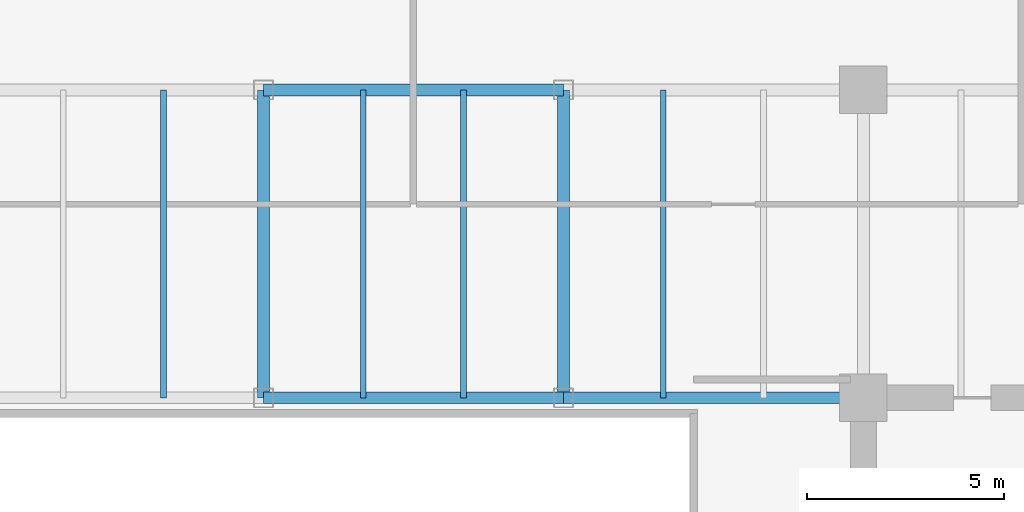
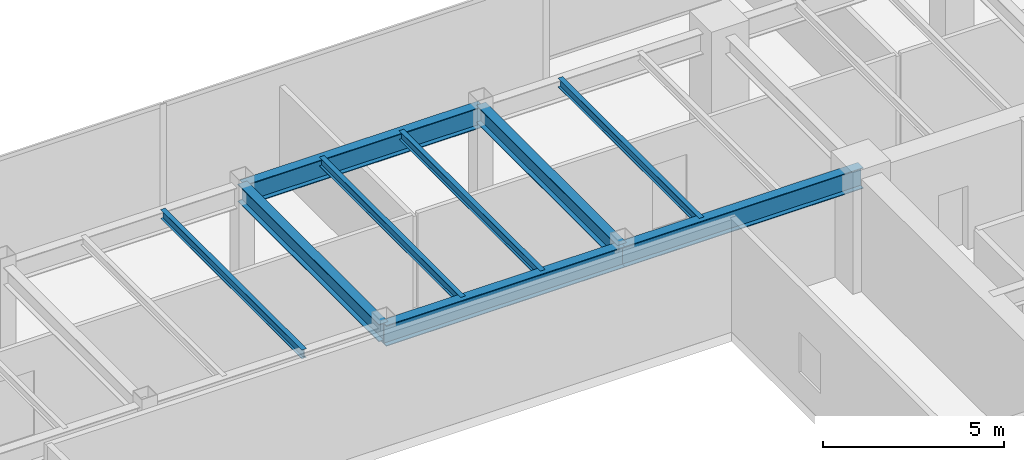
# One storey, part 17 of 30: 9 beams.
"""IFC4 building model written with IfcOpenShell, lengths in metres."""

import ifcopenshell
import ifcopenshell.guid

model = None  # the IFC model being written
_history = None  # IfcOwnerHistory: only IFC2X3 demands one
_inside = {}  # id of a spatial element -> (the spatial element, [elements in it])
_under = {}  # id of a project, library or spatial element -> (it, [spatial elements below it])
_declared = {}  # id of a project -> (the project, [libraries it declares])
_typed = {}  # id of a type object -> (the type object, [elements of that type])
_made_of = {}  # id of a material, layer set ... -> (it, [elements and type objects made of it])


def new_model(schema):
    """Start an empty IFC model of exactly this schema.

    Asked for "IFC4X3", IfcOpenShell would pick the latest addendum, in which some entities
    have other attributes; the version numbers below select the first issue.
    IFC2X3 requires an IfcOwnerHistory on every rooted entity: one is made here for all.
    """
    global model, _history
    if schema == "IFC4X3":
        model = ifcopenshell.file(schema_version=(4, 3, 0, 0))
    else:
        model = ifcopenshell.file(schema=schema)
    _inside.clear()
    _under.clear()
    _declared.clear()
    _typed.clear()
    _made_of.clear()
    _history = None
    if model.schema == "IFC2X3":
        org = make("IfcOrganization", Name="unknown")
        user = make(
            "IfcPersonAndOrganization",
            ThePerson=make("IfcPerson", FamilyName="unknown"),
            TheOrganization=org,
        )
        app = make(
            "IfcApplication",
            ApplicationDeveloper=org,
            Version="unknown",
            ApplicationFullName="unknown",
            ApplicationIdentifier="unknown",
        )
        _history = make(
            "IfcOwnerHistory",
            OwningUser=user,
            OwningApplication=app,
            ChangeAction="ADDED",
            CreationDate=0,
        )
    return model


def make(cls, **values):
    """One entity of the class cls with the attributes given. An attribute that is None is left unset."""
    return model.create_entity(
        cls, **{name: value for name, value in values.items() if value is not None}
    )


def rooted(cls, **values):
    """An entity with a GlobalId (a new one), such as an element, a storey or a relation."""
    return make(cls, GlobalId=ifcopenshell.guid.new(), OwnerHistory=_history, **values)


def si_unit(unit_type, name, prefix=None):
    """IfcSIUnit, for example si_unit("LENGTHUNIT", "METRE", prefix="MILLI")."""
    return make("IfcSIUnit", UnitType=unit_type, Prefix=prefix, Name=name)


def assignment(units):
    """IfcUnitAssignment: the units of a project."""
    return None if units is None else make("IfcUnitAssignment", Units=units)


def point(xyz):
    """IfcCartesianPoint."""
    return None if xyz is None else make("IfcCartesianPoint", Coordinates=xyz)


def direction(xyz):
    """IfcDirection."""
    return None if xyz is None else make("IfcDirection", DirectionRatios=xyz)


def frame(location, z_axis=None, x_axis=None):
    """IfcAxis2Placement3D, a coordinate frame: its origin and axes. An axis left out is left unset."""
    return make(
        "IfcAxis2Placement3D",
        Location=point(location),
        Axis=direction(z_axis),
        RefDirection=direction(x_axis),
    )


def frame_2d(location, x_axis=None):
    """IfcAxis2Placement2D, a coordinate frame in the plane: its origin and x axis."""
    return make(
        "IfcAxis2Placement2D", Location=point(location), RefDirection=direction(x_axis)
    )


def origin():
    """The frame at (0, 0, 0) with its axes left unset."""
    return frame((0.0, 0.0, 0.0))


def origin_2d():
    """The frame at (0, 0) in the plane with its x axis left unset."""
    return frame_2d((0.0, 0.0))


def place(relative_to, where):
    """IfcLocalPlacement: puts the frame where relative to a parent placement (None: the world)."""
    return make(
        "IfcLocalPlacement", PlacementRelTo=relative_to, RelativePlacement=where
    )


def context(
    kind, dimensions, precision=None, world=None, true_north=None, identifier=None
):
    """IfcGeometricRepresentationContext, for example the 3D "Model" context."""
    return make(
        "IfcGeometricRepresentationContext",
        ContextIdentifier=identifier,
        ContextType=kind,
        CoordinateSpaceDimension=dimensions,
        Precision=precision,
        WorldCoordinateSystem=world,
        TrueNorth=true_north,
    )


def subcontext(parent, identifier, kind, view, scale=None):
    """IfcGeometricRepresentationSubContext, for example "Body" below "Model"."""
    return make(
        "IfcGeometricRepresentationSubContext",
        ContextIdentifier=identifier,
        ContextType=kind,
        ParentContext=parent,
        TargetScale=scale,
        TargetView=view,
    )


def project(units=None, contexts=None):
    """IfcProject with its units and contexts."""
    return rooted(
        "IfcProject",
        Name="project",
        RepresentationContexts=contexts,
        UnitsInContext=assignment(units),
    )


def spatial(cls, under=None, at=None, **own):
    """A site, building, storey or space (cls), placed at a placement, below another one or the project."""
    s = rooted(cls, ObjectPlacement=at, **own)
    if under is not None:
        _under.setdefault(under.id(), (under, []))[1].append(s)
    return s


def profile(cls, at=None, kind="AREA", **sizes):
    """A parametric profile (cls). Its sizes go by their IFC names, for example OverallWidth=200.0."""
    return make(cls, ProfileType=kind, Position=at, **sizes)


def i_section(**sizes):
    """IfcIShapeProfileDef."""
    return profile("IfcIShapeProfileDef", **sizes)


def extrude(swept, where, along, depth):
    """IfcExtrudedAreaSolid: the profile swept, set in the frame where, extruded along a direction by depth."""
    return make(
        "IfcExtrudedAreaSolid",
        SweptArea=swept,
        Position=where,
        ExtrudedDirection=direction(along),
        Depth=depth,
    )


def shape(context_of_items, identifier, shape_type, items):
    """IfcShapeRepresentation: the items that make up one representation, for example the "Body"."""
    return make(
        "IfcShapeRepresentation",
        ContextOfItems=context_of_items,
        RepresentationIdentifier=identifier,
        RepresentationType=shape_type,
        Items=items,
    )


def source(mapping_origin, context_of_items, identifier, shape_type, items):
    """IfcRepresentationMap: a shape defined once, which mapped items show again and again."""
    return make(
        "IfcRepresentationMap",
        MappingOrigin=mapping_origin,
        MappedRepresentation=shape(context_of_items, identifier, shape_type, items),
    )


def transform(
    local_origin,
    x_axis=None,
    y_axis=None,
    z_axis=None,
    scale=None,
    scale2=None,
    scale3=None,
    uniform=True,
):
    """IfcCartesianTransformationOperator3D, or its non-uniform kind. x_axis, y_axis, z_axis: its Axis1, 2, 3."""
    if uniform:
        return make(
            "IfcCartesianTransformationOperator3D",
            Axis1=direction(x_axis),
            Axis2=direction(y_axis),
            LocalOrigin=point(local_origin),
            Scale=scale,
            Axis3=direction(z_axis),
        )
    return make(
        "IfcCartesianTransformationOperator3DnonUniform",
        Axis1=direction(x_axis),
        Axis2=direction(y_axis),
        LocalOrigin=point(local_origin),
        Scale=scale,
        Axis3=direction(z_axis),
        Scale2=scale2,
        Scale3=scale3,
    )


def mapped(mapping_source, mapping_target):
    """IfcMappedItem: shows the shape of a source again, moved by a transform."""
    return make(
        "IfcMappedItem", MappingSource=mapping_source, MappingTarget=mapping_target
    )


def material(Name=None, Category=None):
    """IfcMaterial."""
    return make("IfcMaterial", Name=Name, Category=Category)


def material_profile(
    of_material, cross_section, Name=None, Category=None, Priority=None
):
    """IfcMaterialProfile: a cross section and its material."""
    return make(
        "IfcMaterialProfile",
        Name=Name,
        Material=of_material,
        Profile=cross_section,
        Priority=Priority,
        Category=Category,
    )


def profile_set(profiles, Name=None, composite=None):
    """IfcMaterialProfileSet."""
    return make(
        "IfcMaterialProfileSet",
        Name=Name,
        MaterialProfiles=profiles,
        CompositeProfile=composite,
    )


def made_of(thing, what):
    """Note that an element or type object is made of a material, layer set ...; save() writes the relation."""
    if what is not None:
        _made_of.setdefault(what.id(), (what, []))[1].append(thing)
    return thing


def type_object(cls, material=None, **own):
    """A type object (cls), such as IfcWallType, which elements share."""
    return made_of(rooted(cls, **own), material)


def type_shapes(of_type, sources):
    """Give a type object the sources (RepresentationMaps) that its elements show as mapped items."""
    of_type.RepresentationMaps = sources


def element(
    cls,
    number,
    at=None,
    inside=None,
    cuts=None,
    type_object=None,
    material=None,
    context=None,
    identifier="Body",
    shape_type=None,
    held_by="IfcProductDefinitionShape",
    body=None,
    shapes=None,
    **own,
):
    """One element of the class cls, such as IfcWall. Its Tag is "e" and its number.

    at: its placement. inside: the storey or other place that contains it. cuts: it is an
    opening in that element (IfcRelVoidsElement). A single representation is given by context,
    identifier, shape_type and body (its items); several are given by shapes. held_by: the class
    of the entity that holds the representations. save() writes the other relations.
    """
    e = rooted(cls, Tag="e%d" % number, ObjectPlacement=at, **own)
    if body is not None:
        shapes = [shape(context, identifier, shape_type, body)]
    if shapes is not None:
        e.Representation = make(held_by, Representations=shapes)
    if inside is not None:
        _inside.setdefault(inside.id(), (inside, []))[1].append(e)
    if cuts is not None:
        rooted(
            "IfcRelVoidsElement", RelatingBuildingElement=cuts, RelatedOpeningElement=e
        )
    if type_object is not None:
        _typed.setdefault(type_object.id(), (type_object, []))[1].append(e)
    return made_of(e, material)


def aggregate(whole, parts):
    """IfcRelAggregates: a whole, such as a stair, and the parts it consists of."""
    return rooted("IfcRelAggregates", RelatingObject=whole, RelatedObjects=parts)


def save(model, path):
    """Write the relations noted so far, then the file.

    IfcRelAggregates (storeys below a building ...), IfcRelContainedInSpatialStructure (elements
    in a storey), IfcRelDefinesByType, IfcRelAssociatesMaterial and IfcRelDeclares: one each for
    every whole, place, type object, material and project.
    """
    for whole, parts in _under.values():
        aggregate(whole, parts)
    for where, things in _inside.values():
        rooted(
            "IfcRelContainedInSpatialStructure",
            RelatedElements=things,
            RelatingStructure=where,
        )
    for kind, things in _typed.values():
        rooted("IfcRelDefinesByType", RelatedObjects=things, RelatingType=kind)
    for what, things in _made_of.values():
        rooted("IfcRelAssociatesMaterial", RelatedObjects=things, RelatingMaterial=what)
    for by, libraries in _declared.values():
        rooted("IfcRelDeclares", RelatingContext=by, RelatedDefinitions=libraries)
    model.write(path)


model = new_model("IFC4")

# Units and contexts
model_context = context("Model", 3, precision=1e-05, world=origin(), true_north=direction((0.0, 1.0)))
body_context = subcontext(model_context, "Body", "Model", "MODEL_VIEW")
ifc_project = project(units=[si_unit("LENGTHUNIT", "METRE"), si_unit("AREAUNIT", "SQUARE_METRE"), si_unit("VOLUMEUNIT", "CUBIC_METRE"), si_unit("PLANEANGLEUNIT", "RADIAN"), si_unit("MASSUNIT", "GRAM", prefix="KILO")], contexts=[model_context])

# Site, building, storey
site_placement = place(None, origin())
site = spatial("IfcSite", under=ifc_project, at=site_placement, CompositionType="ELEMENT")
building_placement = place(site_placement, origin())
building = spatial("IfcBuilding", under=site, at=building_placement, Name="Haelvirn Gate Laboratories", CompositionType="ELEMENT")
storey_placement = place(building_placement, frame((0.0, 0.0, 162.5)))
storey = spatial("IfcBuildingStorey", under=building, at=storey_placement, Name="L39", CompositionType="ELEMENT", Elevation=162.5)

# Beams
ifc_material = material(Name="Steel SM355", Category="steel")
ifc_material_profile_1 = material_profile(ifc_material, i_section(OverallWidth=0.300048828125, OverallDepth=0.699951171875, WebThickness=0.012939453125, FlangeThickness=0.02392578125, at=origin_2d()), Name="H-700x300x13x24")
ifc_profile_set_1 = profile_set([ifc_material_profile_1], Name="Steel SM355")
beam_type_1 = type_object("IfcBeamType", Name="BM-G-700", PredefinedType="BEAM", material=ifc_profile_set_1)
shared_shape_1 = source(origin(), body_context, "Body", "SweptSolid", [
    extrude(i_section(OverallWidth=0.300048828125, OverallDepth=0.699951171875, WebThickness=0.012939453125, FlangeThickness=0.02392578125, at=origin_2d()), origin(), (0.0, 0.0, 1.0), 7.60009765625),
])
type_shapes(beam_type_1, [shared_shape_1])
for number, where, z_axis, x_axis, name in (
    (1, (37.39990234375, 33.800048828125, 3.43994140625), (1.0, 0.0, 0.0), (0.0, 1.0, 0.0), "L39 Primary Girder Y33.8 (37.4-45.0)"),
    (2, (45.0, 33.800048828125, 3.43994140625), (1.0, 0.0, 0.0), (0.0, 1.0, 0.0), "L39 Primary Girder Y33.8 (45.0-52.6)"),
    (3, (37.39990234375, 41.60009765625, 3.43994140625), (1.0, 0.0, 0.0), (0.0, 1.0, 0.0), "L39 Primary Girder Y41.6 (37.4-45.0)"),
):
    element("IfcBeam", number, at=place(storey_placement, frame(where, z_axis=z_axis, x_axis=x_axis)), inside=storey, type_object=beam_type_1, Name=name, PredefinedType="BEAM", context=body_context, shape_type="MappedRepresentation", body=[
        mapped(shared_shape_1, transform((0.0, 0.0, 0.0), scale=1.0)),
    ])
ifc_material_profile_2 = material_profile(ifc_material, i_section(OverallWidth=0.14990234375, OverallDepth=0.300048828125, WebThickness=0.006591796875, FlangeThickness=0.009033203125, at=origin_2d()), Name="H-300x150x6.5x9")
ifc_profile_set_2 = profile_set([ifc_material_profile_2], Name="Steel SM355")
beam_type_2 = type_object("IfcBeamType", Name="BM-J-300", PredefinedType="JOIST", material=ifc_profile_set_2)
shared_shape_2 = source(origin(), body_context, "Body", "SweptSolid", [
    extrude(i_section(OverallWidth=0.14990234375, OverallDepth=0.300048828125, WebThickness=0.006591796875, FlangeThickness=0.009033203125, at=origin_2d()), origin(), (0.0, 0.0, 1.0), 7.800048828125),
])
type_shapes(beam_type_2, [shared_shape_2])
for number, where, z_axis, x_axis, name in (
    (4, (34.8701171875, 33.800048828125, 3.639892578125), (0.0, 1.0, 0.0), (-1.0, 0.0, 0.0), "L39 Composite Lab Joist North X34.87"),
    (5, (39.929931640625, 33.800048828125, 3.639892578125), (0.0, 1.0, 0.0), (-1.0, 0.0, 0.0), "L39 Composite Lab Joist North X39.93"),
    (6, (42.469970703125, 33.800048828125, 3.639892578125), (0.0, 1.0, 0.0), (-1.0, 0.0, 0.0), "L39 Composite Lab Joist North X42.47"),
    (7, (47.530029296875, 33.800048828125, 3.639892578125), (0.0, 1.0, 0.0), (-1.0, 0.0, 0.0), "L39 Composite Lab Joist North X47.53"),
):
    element("IfcBeam", number, at=place(storey_placement, frame(where, z_axis=z_axis, x_axis=x_axis)), inside=storey, type_object=beam_type_2, Name=name, PredefinedType="JOIST", context=body_context, shape_type="MappedRepresentation", body=[
        mapped(shared_shape_2, transform((0.0, 0.0, 0.0), scale=1.0)),
    ])
ifc_material_profile_3 = material_profile(ifc_material, i_section(OverallWidth=0.300048828125, OverallDepth=0.587890625, WebThickness=0.011962890625, FlangeThickness=0.02001953125, at=origin_2d()), Name="H-588x300x12x20")
ifc_profile_set_3 = profile_set([ifc_material_profile_3], Name="Steel SM355")
beam_type_3 = type_object("IfcBeamType", Name="BM-G-588", PredefinedType="BEAM", material=ifc_profile_set_3)
shared_shape_3 = source(origin(), body_context, "Body", "SweptSolid", [
    extrude(i_section(OverallWidth=0.300048828125, OverallDepth=0.587890625, WebThickness=0.011962890625, FlangeThickness=0.02001953125, at=origin_2d()), origin(), (0.0, 0.0, 1.0), 7.800048828125),
])
type_shapes(beam_type_3, [shared_shape_3])
for number, where, z_axis, x_axis, name in (
    (8, (37.39990234375, 33.800048828125, 3.49609375), (0.0, 1.0, 0.0), (-1.0, 0.0, 0.0), "L39 Frame Girder X37.4 (33.8-41.6)"),
    (9, (45.0, 33.800048828125, 3.49609375), (0.0, 1.0, 0.0), (-1.0, 0.0, 0.0), "L39 Frame Girder X45.0 (33.8-41.6)"),
):
    element("IfcBeam", number, at=place(storey_placement, frame(where, z_axis=z_axis, x_axis=x_axis)), inside=storey, type_object=beam_type_3, Name=name, PredefinedType="BEAM", context=body_context, shape_type="MappedRepresentation", body=[
        mapped(shared_shape_3, transform((0.0, 0.0, 0.0), scale=1.0)),
    ])

save(model, "model.ifc")
